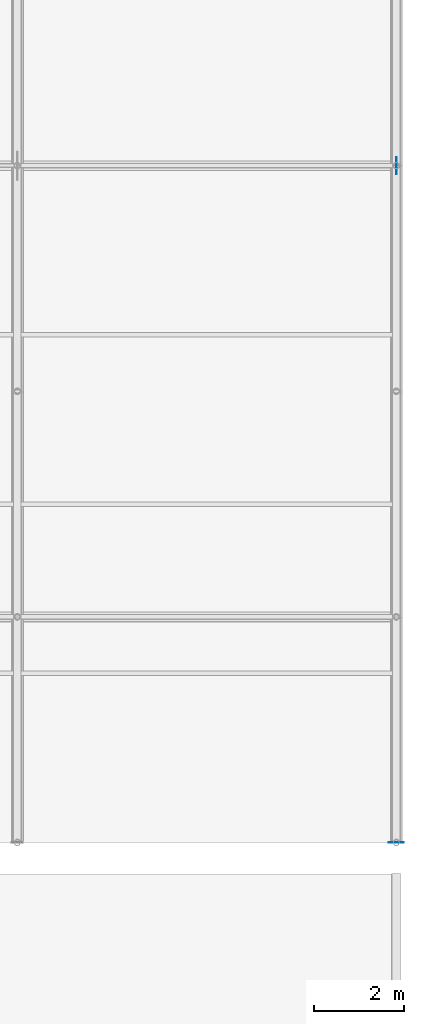
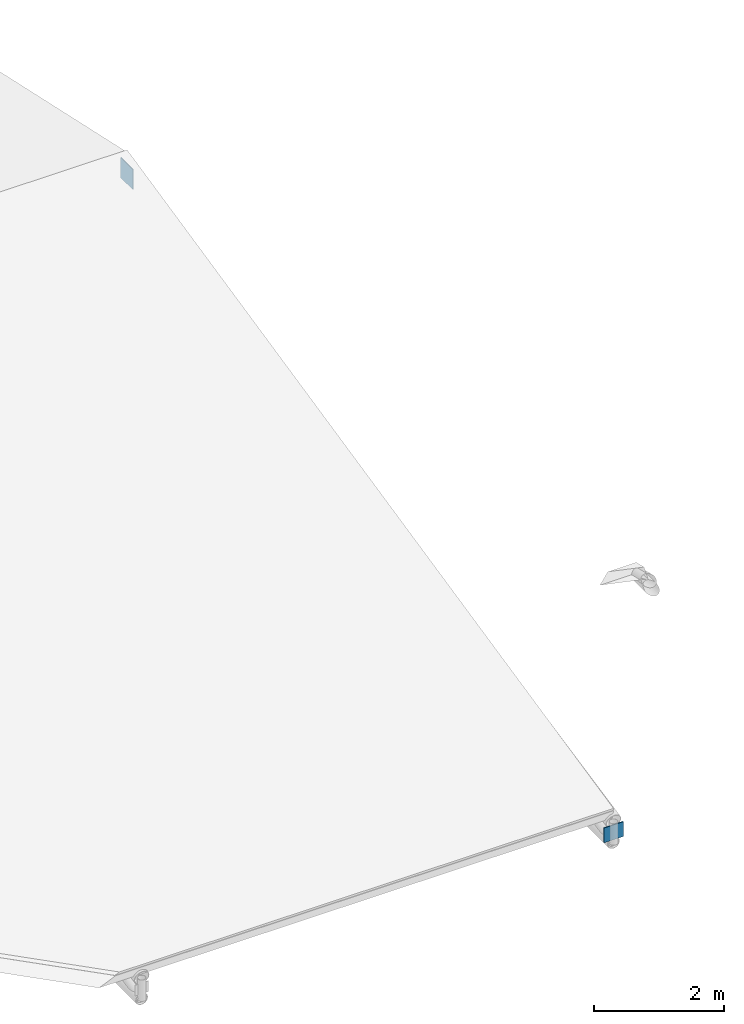
# One storey, part 184 of 194: 2 plates.
"""IFC4 building model written with IfcOpenShell, lengths in metres."""

from ifc_helpers import new_model, si_unit, direction, frame, origin, origin_2d, place, context, subcontext, project, spatial, rectangle, extrude, material, layer, layer_set, type_object, element, save


model = new_model("IFC4")

# Units and contexts
model_context = context("Model", 3, precision=1e-05, world=origin(), true_north=direction((0.0, 1.0)))
body_context = subcontext(model_context, "Body", "Model", "MODEL_VIEW")
ifc_project = project(units=[si_unit("LENGTHUNIT", "METRE"), si_unit("AREAUNIT", "SQUARE_METRE"), si_unit("VOLUMEUNIT", "CUBIC_METRE"), si_unit("PLANEANGLEUNIT", "RADIAN"), si_unit("MASSUNIT", "GRAM", prefix="KILO")], contexts=[model_context])

# Site, building, storey
site_placement = place(None, origin())
site = spatial("IfcSite", under=ifc_project, at=site_placement, CompositionType="ELEMENT")
building_placement = place(site_placement, origin())
building = spatial("IfcBuilding", under=site, at=building_placement, Name="Kazenagashi Tramway Depot", CompositionType="ELEMENT")
storey_placement = place(building_placement, frame((0.0, 0.0, 23.7)))
storey = spatial("IfcBuildingStorey", under=building, at=storey_placement, Name="ROOF", CompositionType="ELEMENT", Elevation=23.7)

# Plates
ifc_material_1 = material(Name="Steel STK490", Category="steel")
ifc_layer_1 = layer(ifc_material_1, 0.015)
ifc_layer_set_1 = layer_set([ifc_layer_1], Name="Steel STK490")
plate_type_1 = type_object("IfcPlateType", Name="EC-09", PredefinedType="USERDEFINED", material=ifc_layer_set_1)
plate_1_placement = place(storey_placement, frame((196.0, 70.0, -14.04), z_axis=(0.0, 0.0, 1.0), x_axis=(1.0, 0.0, 0.0)))
element("IfcPlate", 1, at=plate_1_placement, inside=storey, type_object=plate_type_1, Name="Structural Node Plate EC-09 PLT-0075", ObjectType="END CAP PLATE", PredefinedType="USERDEFINED", context=body_context, shape_type="SweptSolid", body=[
    extrude(rectangle(XDim=0.34, YDim=0.015, at=origin_2d()), origin(), (0.0, 0.0, 1.0), 0.28),
])
ifc_material_2 = material(Name="Weathering Steel SMA490W", Category="steel")
ifc_layer_2 = layer(ifc_material_2, 0.014)
ifc_layer_set_2 = layer_set([ifc_layer_2], Name="Weathering Steel SMA490W")
plate_type_2 = type_object("IfcPlateType", Name="GP-05", PredefinedType="USERDEFINED", material=ifc_layer_set_2)
plate_2_placement = place(storey_placement, frame((196.0, 85.0, -10.79), z_axis=(0.0, 0.0, 1.0), x_axis=(0.0, 1.0, 0.0)))
element("IfcPlate", 2, at=plate_2_placement, inside=storey, type_object=plate_type_2, Name="Structural Node Plate GP-05 PLT-0073", ObjectType="GUSSET PLATE", PredefinedType="USERDEFINED", context=body_context, shape_type="SweptSolid", body=[
    extrude(rectangle(XDim=0.38, YDim=0.014, at=origin_2d()), origin(), (0.0, 0.0, 1.0), 0.38),
])

save(model, "model.ifc")
